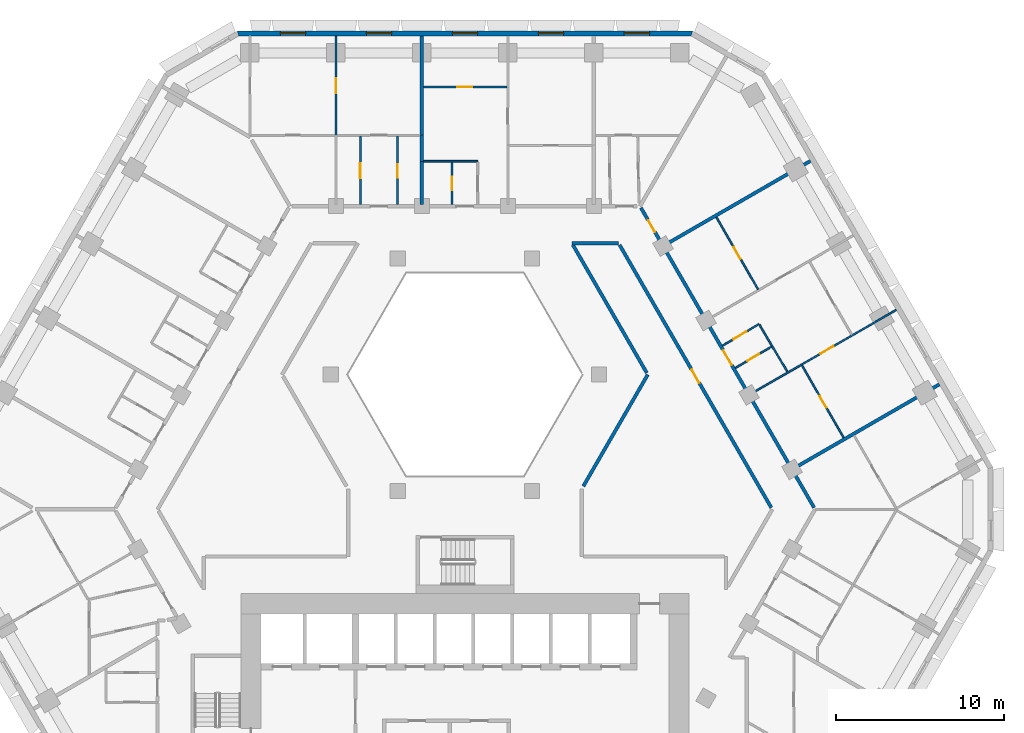
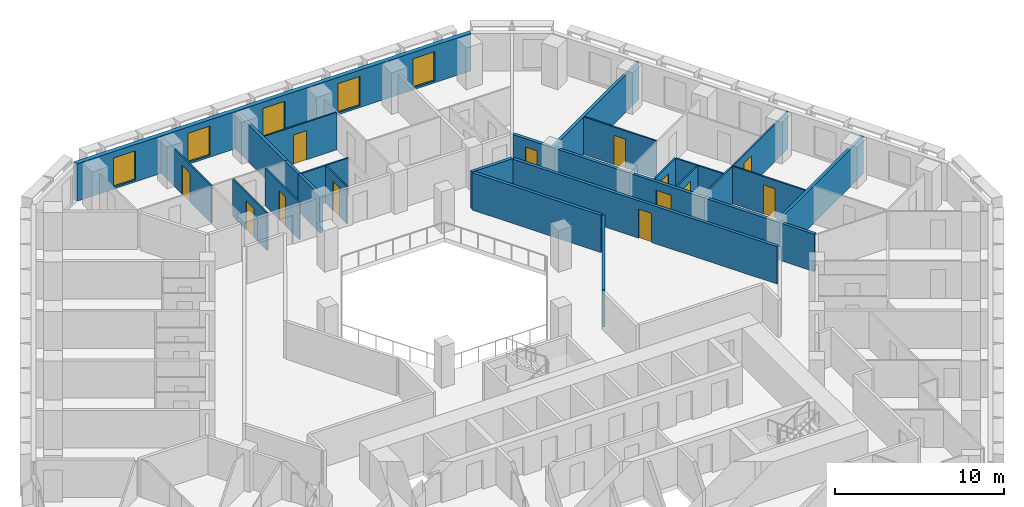
# One storey, part 9 of 16: 23 walls, 13 doors, 5 windows, 18 openings.
"""IFC4 building model written with IfcOpenShell, lengths in metres."""

from ifc_helpers import new_model, si_unit, direction, frame, frame_2d, origin, place, context, subcontext, project, spatial, polyline, rectangle, outline, extrude, material, layer, layer_set, type_object, element, fill, save


model = new_model("IFC4")

# Units and contexts
model_context = context("Model", 3, precision=1e-05, world=origin(), true_north=direction((0.0, 1.0)))
body_context = subcontext(model_context, "Body", "Model", "MODEL_VIEW")
ifc_project = project(units=[si_unit("LENGTHUNIT", "METRE"), si_unit("AREAUNIT", "SQUARE_METRE"), si_unit("VOLUMEUNIT", "CUBIC_METRE"), si_unit("PLANEANGLEUNIT", "RADIAN"), si_unit("MASSUNIT", "GRAM", prefix="KILO")], contexts=[model_context])

# Site, building, storey
site_placement = place(None, origin())
site = spatial("IfcSite", under=ifc_project, at=site_placement, CompositionType="ELEMENT")
building_placement = place(site_placement, origin())
building = spatial("IfcBuilding", under=site, at=building_placement, Name="Beryl Residences", CompositionType="ELEMENT")
storey_placement = place(building_placement, frame((0.0, 0.0, 38.39990234375)))
storey = spatial("IfcBuildingStorey", under=building, at=storey_placement, Name="L11", CompositionType="ELEMENT", Elevation=38.39990234375)

# Wall, openings, windows
ifc_material_1 = material(Name="Composite metal panel with mineral wool insulation")
ifc_layer_1 = layer(ifc_material_1, 0.300048828125)
ifc_layer_set_1 = layer_set([ifc_layer_1], Name="ES1 pale metal composite panel wall 300 mm")
wall_type_1 = type_object("IfcWallType", Name="ES1 pale metal composite panel wall 300 mm", PredefinedType="SOLIDWALL", material=ifc_layer_set_1)
wall_1_placement = place(storey_placement, frame((13.510009765625, 28.25, 0.0), z_axis=(0.0, 0.0, 1.0), x_axis=(-1.0, 0.0, 0.0)))
wall_1 = element("IfcWall", 1, at=wall_1_placement, inside=storey, type_object=wall_type_1, Name="ES1 external wall L11 N", PredefinedType="SOLIDWALL", context=body_context, shape_type="SweptSolid", body=[
    extrude(outline(polyline([(0.0, -0.14990234375), (27.02001953125, -0.14990234375), (26.939697265625, 0.14990234375), (0.080322265625, 0.14990234375), (0.0, -0.14990234375)])), origin(), (0.0, 0.0, 1.0), 2.7001953125),
])
opening_1_placement = place(wall_1_placement, frame((2.552978515625, 0.0, 0.14990234375)))
opening_1 = element("IfcOpeningElement", 2, at=opening_1_placement, cuts=wall_1, Name="Opening W1", PredefinedType="OPENING", context=body_context, shape_type="SweptSolid", body=[
    extrude(rectangle(XDim=1.5, YDim=2.10009765625, at=frame_2d((0.75, 1.050048828125))), frame((0.0, 0.159912109375, 0.0), z_axis=(0.0, -1.0, 0.0), x_axis=(1.0, 0.0, 0.0)), (0.0, 0.0, 1.0), 0.320068359375),
])
opening_2_placement = place(wall_1_placement, frame((7.656982421875, 0.0, 0.14990234375)))
opening_2 = element("IfcOpeningElement", 3, at=opening_2_placement, cuts=wall_1, Name="Opening W1", PredefinedType="OPENING", context=body_context, shape_type="SweptSolid", body=[
    extrude(rectangle(XDim=1.5, YDim=2.10009765625, at=frame_2d((0.75, 1.050048828125))), frame((0.0, 0.159912109375, 0.0), z_axis=(0.0, -1.0, 0.0), x_axis=(1.0, 0.0, 0.0)), (0.0, 0.0, 1.0), 0.320068359375),
])
opening_3_placement = place(wall_1_placement, frame((12.760986328125, 0.0, 0.14990234375)))
opening_3 = element("IfcOpeningElement", 4, at=opening_3_placement, cuts=wall_1, Name="Opening W1", PredefinedType="OPENING", context=body_context, shape_type="SweptSolid", body=[
    extrude(rectangle(XDim=1.5, YDim=2.10009765625, at=frame_2d((0.75, 1.050048828125))), frame((0.0, 0.159912109375, 0.0), z_axis=(0.0, -1.0, 0.0), x_axis=(1.0, 0.0, 0.0)), (0.0, 0.0, 1.0), 0.320068359375),
])
opening_4_placement = place(wall_1_placement, frame((17.864990234375, 0.0, 0.14990234375)))
opening_4 = element("IfcOpeningElement", 5, at=opening_4_placement, cuts=wall_1, Name="Opening W1", PredefinedType="OPENING", context=body_context, shape_type="SweptSolid", body=[
    extrude(rectangle(XDim=1.5, YDim=2.10009765625, at=frame_2d((0.75, 1.050048828125))), frame((0.0, 0.159912109375, 0.0), z_axis=(0.0, -1.0, 0.0), x_axis=(1.0, 0.0, 0.0)), (0.0, 0.0, 1.0), 0.320068359375),
])
opening_5_placement = place(wall_1_placement, frame((22.968994140625, 0.0, 0.14990234375)))
opening_5 = element("IfcOpeningElement", 6, at=opening_5_placement, cuts=wall_1, Name="Opening W1", PredefinedType="OPENING", context=body_context, shape_type="SweptSolid", body=[
    extrude(rectangle(XDim=1.5, YDim=2.10009765625, at=frame_2d((0.75, 1.050048828125))), frame((0.0, 0.159912109375, 0.0), z_axis=(0.0, -1.0, 0.0), x_axis=(1.0, 0.0, 0.0)), (0.0, 0.0, 1.0), 0.320068359375),
])
ifc_material_2 = material(Name="Aluminium and clear glass", Category="aluminium")
window_type = type_object("IfcWindowType", Name="W1 cell window 1500 x 2100 mm", PartitioningType="SINGLE_PANEL", PredefinedType="WINDOW", material=ifc_material_2)
window_1_placement = place(opening_1_placement, origin())
window_1 = element("IfcWindow", 7, at=window_1_placement, inside=storey, type_object=window_type, Name="W1 window L11 N 2", OverallHeight=2.10009765625, OverallWidth=1.5, PartitioningType="SINGLE_PANEL", PredefinedType="WINDOW", context=body_context, shape_type="SweptSolid", body=[
    extrude(rectangle(XDim=1.5, YDim=2.10009765625, at=frame_2d((0.75, 1.050048828125))), frame((0.0, 0.030029296875, 0.0), z_axis=(0.0, -1.0, 0.0), x_axis=(1.0, 0.0, 0.0)), (0.0, 0.0, 1.0), 0.06005859375),
])
fill(opening_1, window_1)
window_2_placement = place(opening_2_placement, origin())
window_2 = element("IfcWindow", 8, at=window_2_placement, inside=storey, type_object=window_type, Name="W1 window L11 N 4", OverallHeight=2.10009765625, OverallWidth=1.5, PartitioningType="SINGLE_PANEL", PredefinedType="WINDOW", context=body_context, shape_type="SweptSolid", body=[
    extrude(rectangle(XDim=1.5, YDim=2.10009765625, at=frame_2d((0.75, 1.050048828125))), frame((0.0, 0.030029296875, 0.0), z_axis=(0.0, -1.0, 0.0), x_axis=(1.0, 0.0, 0.0)), (0.0, 0.0, 1.0), 0.06005859375),
])
fill(opening_2, window_2)
window_3_placement = place(opening_3_placement, origin())
window_3 = element("IfcWindow", 9, at=window_3_placement, inside=storey, type_object=window_type, Name="W1 window L11 N 6", OverallHeight=2.10009765625, OverallWidth=1.5, PartitioningType="SINGLE_PANEL", PredefinedType="WINDOW", context=body_context, shape_type="SweptSolid", body=[
    extrude(rectangle(XDim=1.5, YDim=2.10009765625, at=frame_2d((0.75, 1.050048828125))), frame((0.0, 0.030029296875, 0.0), z_axis=(0.0, -1.0, 0.0), x_axis=(1.0, 0.0, 0.0)), (0.0, 0.0, 1.0), 0.06005859375),
])
fill(opening_3, window_3)
window_4_placement = place(opening_4_placement, origin())
window_4 = element("IfcWindow", 10, at=window_4_placement, inside=storey, type_object=window_type, Name="W1 window L11 N 8", OverallHeight=2.10009765625, OverallWidth=1.5, PartitioningType="SINGLE_PANEL", PredefinedType="WINDOW", context=body_context, shape_type="SweptSolid", body=[
    extrude(rectangle(XDim=1.5, YDim=2.10009765625, at=frame_2d((0.75, 1.050048828125))), frame((0.0, 0.030029296875, 0.0), z_axis=(0.0, -1.0, 0.0), x_axis=(1.0, 0.0, 0.0)), (0.0, 0.0, 1.0), 0.06005859375),
])
fill(opening_4, window_4)
window_5_placement = place(opening_5_placement, origin())
window_5 = element("IfcWindow", 11, at=window_5_placement, inside=storey, type_object=window_type, Name="W1 window L11 N 10", OverallHeight=2.10009765625, OverallWidth=1.5, PartitioningType="SINGLE_PANEL", PredefinedType="WINDOW", context=body_context, shape_type="SweptSolid", body=[
    extrude(rectangle(XDim=1.5, YDim=2.10009765625, at=frame_2d((0.75, 1.050048828125))), frame((0.0, 0.030029296875, 0.0), z_axis=(0.0, -1.0, 0.0), x_axis=(1.0, 0.0, 0.0)), (0.0, 0.0, 1.0), 0.06005859375),
])
fill(opening_5, window_5)

# Wall
ifc_material_3 = material(Name="Gypsum board partition on steel studs", Category="steel")
ifc_layer_2 = layer(ifc_material_3, 0.10009765625)
ifc_layer_set_2 = layer_set([ifc_layer_2], Name="PT1 partition 100 mm gypsum board on steel studs")
wall_type_2 = type_object("IfcWallType", Name="PT1 partition 100 mm gypsum board on steel studs", PredefinedType="PARTITIONING", material=ifc_layer_set_2)
wall_2_placement = place(storey_placement, frame((17.485107421875, 10.95703125, 0.0), z_axis=(0.0, 0.0, 1.0), x_axis=(0.510324709283, -0.859981796956, 0.0)))
element("IfcWall", 12, at=wall_2_placement, inside=storey, type_object=wall_type_2, Name="Wall PT1 L11 001", PredefinedType="PARTITIONING", context=body_context, shape_type="SweptSolid", body=[
    extrude(rectangle(XDim=3.21533203125, YDim=0.10009765625, at=frame_2d((1.607666015625, 0.0))), origin(), (0.0, 0.0, 1.0), 2.7001953125),
])

# Wall, opening, door
wall_3_placement = place(storey_placement, frame((14.927978515625, 17.343994140625, 0.0), z_axis=(0.0, 0.0, 1.0), x_axis=(0.500029609304, -0.86600830817, 0.0)))
wall_3 = element("IfcWall", 13, at=wall_3_placement, inside=storey, type_object=wall_type_2, Name="Wall PT1 L11 004", PredefinedType="PARTITIONING", context=body_context, shape_type="SweptSolid", body=[
    extrude(rectangle(XDim=4.953857421875, YDim=0.10009765625, at=frame_2d((2.47705078125, 0.0))), origin(), (0.0, 0.0, 1.0), 2.7001953125),
])
opening_6_placement = place(wall_3_placement, frame((2.052001953125, 0.0, 0.0)))
opening_6 = element("IfcOpeningElement", 14, at=opening_6_placement, cuts=wall_3, Name="Opening D0457", PredefinedType="OPENING", context=body_context, shape_type="SweptSolid", body=[
    extrude(rectangle(XDim=0.800048828125, YDim=2.10009765625, at=frame_2d((0.39990234375, 1.050048828125))), frame((0.0, 0.06005859375, 0.0), z_axis=(0.0, -1.0, 0.0), x_axis=(1.0, 0.0, 0.0)), (0.0, 0.0, 1.0), 0.1201171875),
])
ifc_material_4 = material(Name="Timber door leaf", Category="wood")
door_type_1 = type_object("IfcDoorType", Name="D3 bathroom door 800 x 2100 mm", OperationType="SINGLE_SWING_LEFT", PredefinedType="DOOR", material=ifc_material_4)
door_1_placement = place(opening_6_placement, origin())
door_1 = element("IfcDoor", 15, at=door_1_placement, inside=storey, type_object=door_type_1, Name="Door D0457 L11 001", OperationType="SINGLE_SWING_LEFT", OverallHeight=2.10009765625, OverallWidth=0.800048828125, PredefinedType="DOOR", context=body_context, shape_type="SweptSolid", body=[
    extrude(rectangle(XDim=0.800048828125, YDim=2.10009765625, at=frame_2d((0.39990234375, 1.050048828125))), frame((0.0, 0.02490234375, 0.0), z_axis=(0.0, -1.0, 0.0), x_axis=(1.0, 0.0, 0.0)), (0.0, 0.0, 1.0), 0.050048828125),
])
fill(opening_6, door_1)

wall_4_placement = place(storey_placement, frame((20.006103515625, 8.548095703125, 0.0), z_axis=(0.0, 0.0, 1.0), x_axis=(0.500055121407, -0.865993577086, 0.0)))
wall_4 = element("IfcWall", 16, at=wall_4_placement, inside=storey, type_object=wall_type_2, Name="Wall PT1 L11 005", PredefinedType="PARTITIONING", context=body_context, shape_type="SweptSolid", body=[
    extrude(rectangle(XDim=4.955078125, YDim=0.10009765625, at=frame_2d((2.4775390625, 0.0))), origin(), (0.0, 0.0, 1.0), 2.7001953125),
])
opening_7_placement = place(wall_4_placement, frame((2.10205078125, 0.0, 0.0)))
opening_7 = element("IfcOpeningElement", 17, at=opening_7_placement, cuts=wall_4, Name="Opening D0456", PredefinedType="OPENING", context=body_context, shape_type="SweptSolid", body=[
    extrude(rectangle(XDim=0.800048828125, YDim=2.10009765625, at=frame_2d((0.39990234375, 1.050048828125))), frame((0.0, 0.06005859375, 0.0), z_axis=(0.0, -1.0, 0.0), x_axis=(1.0, 0.0, 0.0)), (0.0, 0.0, 1.0), 0.1201171875),
])
door_2_placement = place(opening_7_placement, origin())
door_2 = element("IfcDoor", 18, at=door_2_placement, inside=storey, type_object=door_type_1, Name="Door D0456 L11 001", OperationType="SINGLE_SWING_RIGHT", OverallHeight=2.10009765625, OverallWidth=0.800048828125, PredefinedType="DOOR", context=body_context, shape_type="SweptSolid", body=[
    extrude(rectangle(XDim=0.800048828125, YDim=2.10009765625, at=frame_2d((0.39990234375, 1.050048828125))), frame((0.0, 0.02490234375, 0.0), z_axis=(0.0, -1.0, 0.0), x_axis=(1.0, 0.0, 0.0)), (0.0, 0.0, 1.0), 0.050048828125),
])
fill(opening_7, door_2)

# Wall
wall_5_placement = place(storey_placement, frame((-2.452880859375, 20.659912109375, 0.0), z_axis=(0.0, 0.0, 1.0), x_axis=(1.0, 0.0, 0.0)))
element("IfcWall", 19, at=wall_5_placement, inside=storey, type_object=wall_type_2, Name="Wall PT1 L11 035", PredefinedType="PARTITIONING", context=body_context, shape_type="SweptSolid", body=[
    extrude(rectangle(XDim=3.216796875, YDim=0.10009765625, at=frame_2d((1.6083984375, 0.0))), origin(), (0.0, 0.0, 1.0), 2.7001953125),
])

# Wall, opening, door
wall_6_placement = place(storey_placement, frame((-2.452880859375, 25.070068359375, 0.0), z_axis=(0.0, 0.0, 1.0), x_axis=(1.0, 0.0, 0.0)))
wall_6 = element("IfcWall", 20, at=wall_6_placement, inside=storey, type_object=wall_type_2, Name="Wall PT1 L11 039", PredefinedType="PARTITIONING", context=body_context, shape_type="SweptSolid", body=[
    extrude(rectangle(XDim=4.953857421875, YDim=0.10009765625, at=frame_2d((2.47705078125, 0.0))), origin(), (0.0, 0.0, 1.0), 2.7001953125),
])
opening_8_placement = place(wall_6_placement, frame((2.001953125, 0.0, 0.0)))
opening_8 = element("IfcOpeningElement", 21, at=opening_8_placement, cuts=wall_6, Name="Opening D0466", PredefinedType="OPENING", context=body_context, shape_type="SweptSolid", body=[
    extrude(rectangle(XDim=0.89990234375, YDim=2.10009765625, at=frame_2d((0.449951171875, 1.050048828125))), frame((0.0, 0.06005859375, 0.0), z_axis=(0.0, -1.0, 0.0), x_axis=(1.0, 0.0, 0.0)), (0.0, 0.0, 1.0), 0.1201171875),
])
ifc_material_5 = material(Name="Timber door leaf", Category="wood")
door_type_2 = type_object("IfcDoorType", Name="D2 room door 900 x 2100 mm", OperationType="SINGLE_SWING_LEFT", PredefinedType="DOOR", material=ifc_material_5)
door_3_placement = place(opening_8_placement, origin())
door_3 = element("IfcDoor", 22, at=door_3_placement, inside=storey, type_object=door_type_2, Name="Door D0466 L11 001", OperationType="SINGLE_SWING_RIGHT", OverallHeight=2.10009765625, OverallWidth=0.89990234375, PredefinedType="DOOR", context=body_context, shape_type="SweptSolid", body=[
    extrude(rectangle(XDim=0.89990234375, YDim=2.10009765625, at=frame_2d((0.449951171875, 1.050048828125))), frame((0.0, 0.02490234375, 0.0), z_axis=(0.0, -1.0, 0.0), x_axis=(1.0, 0.0, 0.0)), (0.0, 0.0, 1.0), 0.050048828125),
])
fill(opening_8, door_3)

wall_7_placement = place(storey_placement, frame((-4.0048828125, 18.10009765625, 0.0), z_axis=(0.0, 0.0, 1.0), x_axis=(0.0, 1.0, 0.0)))
wall_7 = element("IfcWall", 23, at=wall_7_placement, inside=storey, type_object=wall_type_2, Name="Wall PT1 L11 051", PredefinedType="PARTITIONING", context=body_context, shape_type="SweptSolid", body=[
    extrude(rectangle(XDim=4.0498046875, YDim=0.10009765625, at=frame_2d((2.02490234375, 0.0))), origin(), (0.0, 0.0, 1.0), 2.7001953125),
])
opening_9_placement = place(wall_7_placement, frame((1.60009765625, 0.0, 0.0)))
opening_9 = element("IfcOpeningElement", 24, at=opening_9_placement, cuts=wall_7, Name="Opening D0470", PredefinedType="OPENING", context=body_context, shape_type="SweptSolid", body=[
    extrude(rectangle(XDim=0.800048828125, YDim=2.10009765625, at=frame_2d((0.39990234375, 1.050048828125))), frame((0.0, 0.06005859375, 0.0), z_axis=(0.0, -1.0, 0.0), x_axis=(1.0, 0.0, 0.0)), (0.0, 0.0, 1.0), 0.1201171875),
])
door_4_placement = place(opening_9_placement, origin())
door_4 = element("IfcDoor", 25, at=door_4_placement, inside=storey, type_object=door_type_1, Name="Door D0470 L11 001", OperationType="SINGLE_SWING_RIGHT", OverallHeight=2.10009765625, OverallWidth=0.800048828125, PredefinedType="DOOR", context=body_context, shape_type="SweptSolid", body=[
    extrude(rectangle(XDim=0.800048828125, YDim=2.10009765625, at=frame_2d((0.39990234375, 1.050048828125))), frame((0.0, 0.02490234375, 0.0), z_axis=(0.0, -1.0, 0.0), x_axis=(1.0, 0.0, 0.0)), (0.0, 0.0, 1.0), 0.050048828125),
])
fill(opening_9, door_4)

wall_8_placement = place(storey_placement, frame((-6.205078125, 18.10009765625, 0.0), z_axis=(0.0, 0.0, 1.0), x_axis=(0.0, 1.0, 0.0)))
wall_8 = element("IfcWall", 26, at=wall_8_placement, inside=storey, type_object=wall_type_2, Name="Wall PT1 L11 052", PredefinedType="PARTITIONING", context=body_context, shape_type="SweptSolid", body=[
    extrude(rectangle(XDim=4.0498046875, YDim=0.10009765625, at=frame_2d((2.02490234375, 0.0))), origin(), (0.0, 0.0, 1.0), 2.7001953125),
])
opening_10_placement = place(wall_8_placement, frame((1.550048828125, 0.0, 0.0)))
opening_10 = element("IfcOpeningElement", 27, at=opening_10_placement, cuts=wall_8, Name="Opening D0471", PredefinedType="OPENING", context=body_context, shape_type="SweptSolid", body=[
    extrude(rectangle(XDim=0.89990234375, YDim=2.10009765625, at=frame_2d((0.449951171875, 1.050048828125))), frame((0.0, 0.06005859375, 0.0), z_axis=(0.0, -1.0, 0.0), x_axis=(1.0, 0.0, 0.0)), (0.0, 0.0, 1.0), 0.1201171875),
])
door_5_placement = place(opening_10_placement, origin())
door_5 = element("IfcDoor", 28, at=door_5_placement, inside=storey, type_object=door_type_2, Name="Door D0471 L11 001", OperationType="SINGLE_SWING_LEFT", OverallHeight=2.10009765625, OverallWidth=0.89990234375, PredefinedType="DOOR", context=body_context, shape_type="SweptSolid", body=[
    extrude(rectangle(XDim=0.89990234375, YDim=2.10009765625, at=frame_2d((0.449951171875, 1.050048828125))), frame((0.0, 0.02490234375, 0.0), z_axis=(0.0, -1.0, 0.0), x_axis=(1.0, 0.0, 0.0)), (0.0, 0.0, 1.0), 0.050048828125),
])
fill(opening_10, door_5)

wall_9_placement = place(storey_placement, frame((-0.76708984375, 18.10009765625, 0.0), z_axis=(0.0, 0.0, 1.0), x_axis=(0.0, 1.0, 0.0)))
wall_9 = element("IfcWall", 29, at=wall_9_placement, inside=storey, type_object=wall_type_2, Name="Wall PT1 L11 056", PredefinedType="PARTITIONING", context=body_context, shape_type="SweptSolid", body=[
    extrude(rectangle(XDim=2.510009765625, YDim=0.10009765625, at=frame_2d((1.2548828125, 0.0))), origin(), (0.0, 0.0, 1.0), 2.7001953125),
])
opening_11_placement = place(wall_9_placement, frame((0.830078125, 0.0, 0.0)))
opening_11 = element("IfcOpeningElement", 30, at=opening_11_placement, cuts=wall_9, Name="Opening D0465", PredefinedType="OPENING", context=body_context, shape_type="SweptSolid", body=[
    extrude(rectangle(XDim=0.800048828125, YDim=2.10009765625, at=frame_2d((0.39990234375, 1.050048828125))), frame((0.0, 0.06005859375, 0.0), z_axis=(0.0, -1.0, 0.0), x_axis=(1.0, 0.0, 0.0)), (0.0, 0.0, 1.0), 0.1201171875),
])
door_6_placement = place(opening_11_placement, origin())
door_6 = element("IfcDoor", 31, at=door_6_placement, inside=storey, type_object=door_type_1, Name="Door D0465 L11 001", OperationType="SINGLE_SWING_LEFT", OverallHeight=2.10009765625, OverallWidth=0.800048828125, PredefinedType="DOOR", context=body_context, shape_type="SweptSolid", body=[
    extrude(rectangle(XDim=0.800048828125, YDim=2.10009765625, at=frame_2d((0.39990234375, 1.050048828125))), frame((0.0, 0.02490234375, 0.0), z_axis=(0.0, -1.0, 0.0), x_axis=(1.0, 0.0, 0.0)), (0.0, 0.0, 1.0), 0.050048828125),
])
fill(opening_11, door_6)

wall_10_placement = place(storey_placement, frame((16.949951171875, 6.841064453125, 0.0), z_axis=(0.0, 0.0, 1.0), x_axis=(0.866022959057, 0.500004234368, 0.0)))
wall_10 = element("IfcWall", 32, at=wall_10_placement, inside=storey, type_object=wall_type_2, Name="Wall PT1 L11 065", PredefinedType="PARTITIONING", context=body_context, shape_type="SweptSolid", body=[
    extrude(rectangle(XDim=10.0, YDim=0.10009765625, at=frame_2d((5.0, 0.0))), origin(), (0.0, 0.0, 1.0), 2.7001953125),
])
opening_12_placement = place(wall_10_placement, frame((4.794921875, 0.0, 0.0)))
opening_12 = element("IfcOpeningElement", 33, at=opening_12_placement, cuts=wall_10, Name="Opening D0455", PredefinedType="OPENING", context=body_context, shape_type="SweptSolid", body=[
    extrude(rectangle(XDim=0.89990234375, YDim=2.10009765625, at=frame_2d((0.449951171875, 1.050048828125))), frame((0.0, 0.06005859375, 0.0), z_axis=(0.0, -1.0, 0.0), x_axis=(1.0, 0.0, 0.0)), (0.0, 0.0, 1.0), 0.1201171875),
])
door_7_placement = place(opening_12_placement, origin())
door_7 = element("IfcDoor", 34, at=door_7_placement, inside=storey, type_object=door_type_2, Name="Door D0455 L11 001", OperationType="SINGLE_SWING_LEFT", OverallHeight=2.10009765625, OverallWidth=0.89990234375, PredefinedType="DOOR", context=body_context, shape_type="SweptSolid", body=[
    extrude(rectangle(XDim=0.89990234375, YDim=2.10009765625, at=frame_2d((0.449951171875, 1.050048828125))), frame((0.0, 0.02490234375, 0.0), z_axis=(0.0, -1.0, 0.0), x_axis=(1.0, 0.0, 0.0)), (0.0, 0.0, 1.0), 0.050048828125),
])
fill(opening_12, door_7)

wall_11_placement = place(storey_placement, frame((16.056884765625, 8.388916015625, 0.0), z_axis=(0.0, 0.0, 1.0), x_axis=(0.860077993161, 0.510162567893, 0.0)))
wall_11 = element("IfcWall", 35, at=wall_11_placement, inside=storey, type_object=wall_type_2, Name="Wall PT1 L11 069", PredefinedType="PARTITIONING", context=body_context, shape_type="SweptSolid", body=[
    extrude(rectangle(XDim=2.489501953125, YDim=0.10009765625, at=frame_2d((1.24462890625, 0.0))), origin(), (0.0, 0.0, 1.0), 2.7001953125),
])
opening_13_placement = place(wall_11_placement, frame((0.819091796875, 0.0, 0.0)))
opening_13 = element("IfcOpeningElement", 36, at=opening_13_placement, cuts=wall_11, Name="Opening D0452", PredefinedType="OPENING", context=body_context, shape_type="SweptSolid", body=[
    extrude(rectangle(XDim=0.800048828125, YDim=2.10009765625, at=frame_2d((0.39990234375, 1.050048828125))), frame((0.0, 0.06005859375, 0.0), z_axis=(0.0, -1.0, 0.0), x_axis=(1.0, 0.0, 0.0)), (0.0, 0.0, 1.0), 0.1201171875),
])
door_8_placement = place(opening_13_placement, origin())
door_8 = element("IfcDoor", 37, at=door_8_placement, inside=storey, type_object=door_type_1, Name="Door D0452 L11 001", OperationType="SINGLE_SWING_RIGHT", OverallHeight=2.10009765625, OverallWidth=0.800048828125, PredefinedType="DOOR", context=body_context, shape_type="SweptSolid", body=[
    extrude(rectangle(XDim=0.800048828125, YDim=2.10009765625, at=frame_2d((0.39990234375, 1.050048828125))), frame((0.0, 0.02490234375, 0.0), z_axis=(0.0, -1.0, 0.0), x_axis=(1.0, 0.0, 0.0)), (0.0, 0.0, 1.0), 0.050048828125),
])
fill(opening_13, door_8)

wall_12_placement = place(storey_placement, frame((15.291015625, 9.715087890625, 0.0), z_axis=(0.0, 0.0, 1.0), x_axis=(0.860088508644, 0.51014483953, 0.0)))
wall_12 = element("IfcWall", 38, at=wall_12_placement, inside=storey, type_object=wall_type_2, Name="Wall PT1 L11 070", PredefinedType="PARTITIONING", context=body_context, shape_type="SweptSolid", body=[
    extrude(rectangle(XDim=2.520751953125, YDim=0.10009765625, at=frame_2d((1.26025390625, 0.0))), origin(), (0.0, 0.0, 1.0), 2.7001953125),
])
opening_14_placement = place(wall_12_placement, frame((0.760009765625, 0.0, 0.0)))
opening_14 = element("IfcOpeningElement", 39, at=opening_14_placement, cuts=wall_12, Name="Opening D0451", PredefinedType="OPENING", context=body_context, shape_type="SweptSolid", body=[
    extrude(rectangle(XDim=0.89990234375, YDim=2.10009765625, at=frame_2d((0.449951171875, 1.050048828125))), frame((0.0, 0.06005859375, 0.0), z_axis=(0.0, -1.0, 0.0), x_axis=(1.0, 0.0, 0.0)), (0.0, 0.0, 1.0), 0.1201171875),
])
door_9_placement = place(opening_14_placement, origin())
door_9 = element("IfcDoor", 40, at=door_9_placement, inside=storey, type_object=door_type_2, Name="Door D0451 L11 001", OperationType="SINGLE_SWING_LEFT", OverallHeight=2.10009765625, OverallWidth=0.89990234375, PredefinedType="DOOR", context=body_context, shape_type="SweptSolid", body=[
    extrude(rectangle(XDim=0.89990234375, YDim=2.10009765625, at=frame_2d((0.449951171875, 1.050048828125))), frame((0.0, 0.02490234375, 0.0), z_axis=(0.0, -1.0, 0.0), x_axis=(1.0, 0.0, 0.0)), (0.0, 0.0, 1.0), 0.050048828125),
])
fill(opening_14, door_9)

wall_13_placement = place(storey_placement, frame((-7.656982421875, 22.199951171875, 0.0), z_axis=(0.0, 0.0, 1.0), x_axis=(0.0, 1.0, 0.0)))
wall_13 = element("IfcWall", 41, at=wall_13_placement, inside=storey, type_object=wall_type_2, Name="Wall PT1 L11 076", PredefinedType="PARTITIONING", context=body_context, shape_type="SweptSolid", body=[
    extrude(rectangle(XDim=5.900146484375, YDim=0.10009765625, at=frame_2d((2.9501953125, 0.0))), origin(), (0.0, 0.0, 1.0), 2.7001953125),
])
opening_15_placement = place(wall_13_placement, frame((2.5, 0.0, 0.0)))
opening_15 = element("IfcOpeningElement", 42, at=opening_15_placement, cuts=wall_13, Name="Opening D0473", PredefinedType="OPENING", context=body_context, shape_type="SweptSolid", body=[
    extrude(rectangle(XDim=0.89990234375, YDim=2.10009765625, at=frame_2d((0.449951171875, 1.050048828125))), frame((0.0, 0.06005859375, 0.0), z_axis=(0.0, -1.0, 0.0), x_axis=(1.0, 0.0, 0.0)), (0.0, 0.0, 1.0), 0.1201171875),
])
door_10_placement = place(opening_15_placement, origin())
door_10 = element("IfcDoor", 43, at=door_10_placement, inside=storey, type_object=door_type_2, Name="Door D0473 L11 001", OperationType="SINGLE_SWING_LEFT", OverallHeight=2.10009765625, OverallWidth=0.89990234375, PredefinedType="DOOR", context=body_context, shape_type="SweptSolid", body=[
    extrude(rectangle(XDim=0.89990234375, YDim=2.10009765625, at=frame_2d((0.449951171875, 1.050048828125))), frame((0.0, 0.02490234375, 0.0), z_axis=(0.0, -1.0, 0.0), x_axis=(1.0, 0.0, 0.0)), (0.0, 0.0, 1.0), 0.050048828125),
])
fill(opening_15, door_10)

# Walls
ifc_material_6 = material(Name="Acoustic double stud gypsum board wall")
ifc_layer_3 = layer(ifc_material_6, 0.199951171875)
ifc_layer_set_3 = layer_set([ifc_layer_3], Name="PT3 party wall 200 mm acoustic double stud")
wall_type_3 = type_object("IfcWallType", Name="PT3 party wall 200 mm acoustic double stud", PredefinedType="PARTITIONING", material=ifc_layer_set_3)
wall_14_placement = place(storey_placement, frame((-2.552978515625, 22.219970703125, 0.0), z_axis=(0.0, 0.0, 1.0), x_axis=(0.0, -1.0, 0.0)))
element("IfcWall", 44, at=wall_14_placement, inside=storey, type_object=wall_type_3, Name="Wall PT3 L11 002", PredefinedType="PARTITIONING", context=body_context, shape_type="SweptSolid", body=[
    extrude(rectangle(XDim=1.56005859375, YDim=0.199951171875, at=frame_2d((0.780029296875, 0.0))), origin(), (0.0, 0.0, 1.0), 2.7001953125),
])
wall_15_placement = place(storey_placement, frame((-2.552978515625, 18.10009765625, 0.0), z_axis=(0.0, 0.0, 1.0), x_axis=(0.0, 1.0, 0.0)))
element("IfcWall", 45, at=wall_15_placement, inside=storey, type_object=wall_type_3, Name="Wall PT3 L11 018", PredefinedType="PARTITIONING", context=body_context, shape_type="SweptSolid", body=[
    extrude(rectangle(XDim=2.559814453125, YDim=0.199951171875, at=frame_2d((1.27978515625, 0.0))), origin(), (0.0, 0.0, 1.0), 2.7001953125),
])
wall_16_placement = place(storey_placement, frame((-2.552978515625, 22.179931640625, 0.0), z_axis=(0.0, 0.0, 1.0), x_axis=(0.0, 1.0, 0.0)))
element("IfcWall", 46, at=wall_16_placement, inside=storey, type_object=wall_type_3, Name="Wall PT3 L11 019", PredefinedType="PARTITIONING", context=body_context, shape_type="SweptSolid", body=[
    extrude(rectangle(XDim=5.920166015625, YDim=0.199951171875, at=frame_2d((2.9599609375, 0.0))), origin(), (0.0, 0.0, 1.0), 2.7001953125),
])
wall_17_placement = place(storey_placement, frame((19.5029296875, 2.4208984375, 0.0), z_axis=(0.0, 0.0, 1.0), x_axis=(0.866065245018, 0.499930986609, 0.0)))
element("IfcWall", 47, at=wall_17_placement, inside=storey, type_object=wall_type_3, Name="Wall PT3 L11 021", PredefinedType="PARTITIONING", context=body_context, shape_type="SweptSolid", body=[
    extrude(rectangle(XDim=9.99951171875, YDim=0.199951171875, at=frame_2d((4.999755859375, 0.0))), origin(), (0.0, 0.0, 1.0), 2.7001953125),
])
wall_18_placement = place(storey_placement, frame((11.846923828125, 15.680908203125, 0.0), z_axis=(0.0, 0.0, 1.0), x_axis=(0.866022959057, 0.500004234368, 0.0)))
element("IfcWall", 48, at=wall_18_placement, inside=storey, type_object=wall_type_3, Name="Wall PT3 L11 023", PredefinedType="PARTITIONING", context=body_context, shape_type="SweptSolid", body=[
    extrude(rectangle(XDim=10.0, YDim=0.199951171875, at=frame_2d((5.0, 0.0))), origin(), (0.0, 0.0, 1.0), 2.7001953125),
])
ifc_material_7 = material(Name="Double stud gypsum board wall")
ifc_layer_4 = layer(ifc_material_7, 0.199951171875)
ifc_layer_set_4 = layer_set([ifc_layer_4], Name="PT4 corridor wall 200 mm double stud")
wall_type_4 = type_object("IfcWallType", Name="PT4 corridor wall 200 mm double stud", PredefinedType="PARTITIONING", material=ifc_layer_set_4)
wall_19_placement = place(storey_placement, frame((6.408935546875, 15.699951171875, 0.0), z_axis=(0.0, 0.0, 1.0), x_axis=(0.499930377127, -0.866065596838, 0.0)))
element("IfcWall", 49, at=wall_19_placement, inside=storey, type_object=wall_type_4, Name="Wall PT4 L11 004", PredefinedType="PARTITIONING", context=body_context, shape_type="SweptSolid", body=[
    extrude(rectangle(XDim=8.775146484375, YDim=0.199951171875, at=frame_2d((4.3876953125, 0.0))), origin(), (0.0, 0.0, 1.0), 2.7001953125),
])

# Wall, opening, door
wall_20_placement = place(storey_placement, frame((9.179931640625, 15.699951171875, 0.0), z_axis=(0.0, 0.0, 1.0), x_axis=(0.500003652032, -0.866023295272, 0.0)))
wall_20 = element("IfcWall", 50, at=wall_20_placement, inside=storey, type_object=wall_type_4, Name="Wall PT4 L11 005", PredefinedType="PARTITIONING", context=body_context, shape_type="SweptSolid", body=[
    extrude(rectangle(XDim=18.011962890625, YDim=0.199951171875, at=frame_2d((9.005859375, 0.0))), origin(), (0.0, 0.0, 1.0), 2.7001953125),
])
opening_16_placement = place(wall_20_placement, frame((8.555908203125, 0.0, 0.0)))
opening_16 = element("IfcOpeningElement", 51, at=opening_16_placement, cuts=wall_20, Name="Opening D0477", PredefinedType="OPENING", context=body_context, shape_type="SweptSolid", body=[
    extrude(rectangle(XDim=0.89990234375, YDim=2.10009765625, at=frame_2d((0.449951171875, 1.050048828125))), frame((0.0, 0.10986328125, 0.0), z_axis=(0.0, -1.0, 0.0), x_axis=(1.0, 0.0, 0.0)), (0.0, 0.0, 1.0), 0.219970703125),
])
door_11_placement = place(opening_16_placement, origin())
door_11 = element("IfcDoor", 52, at=door_11_placement, inside=storey, type_object=door_type_2, Name="Door D0477 L11 001", OperationType="SINGLE_SWING_LEFT", OverallHeight=2.10009765625, OverallWidth=0.89990234375, PredefinedType="DOOR", context=body_context, shape_type="SweptSolid", body=[
    extrude(rectangle(XDim=0.89990234375, YDim=2.10009765625, at=frame_2d((0.449951171875, 1.050048828125))), frame((0.0, 0.02490234375, 0.0), z_axis=(0.0, -1.0, 0.0), x_axis=(1.0, 0.0, 0.0)), (0.0, 0.0, 1.0), 0.050048828125),
])
fill(opening_16, door_11)

# Wall, openings, doors
wall_21_placement = place(storey_placement, frame((10.449951171875, 17.89990234375, 0.0), z_axis=(0.0, 0.0, 1.0), x_axis=(0.500034352617, -0.866005569383, 0.0)))
wall_21 = element("IfcWall", 53, at=wall_21_placement, inside=storey, type_object=wall_type_4, Name="Wall PT4 L11 006", PredefinedType="PARTITIONING", context=body_context, shape_type="SweptSolid", body=[
    extrude(rectangle(XDim=20.552734375, YDim=0.199951171875, at=frame_2d((10.2763671875, 0.0))), origin(), (0.0, 0.0, 1.0), 2.7001953125),
])
opening_17_placement = place(wall_21_placement, frame((9.77490234375, 0.0, 0.0)))
opening_17 = element("IfcOpeningElement", 54, at=opening_17_placement, cuts=wall_21, Name="Opening D0450", PredefinedType="OPENING", context=body_context, shape_type="SweptSolid", body=[
    extrude(rectangle(XDim=1.0, YDim=2.10009765625, at=frame_2d((0.5, 1.050048828125))), frame((0.0, 0.10986328125, 0.0), z_axis=(0.0, -1.0, 0.0), x_axis=(1.0, 0.0, 0.0)), (0.0, 0.0, 1.0), 0.219970703125),
])
opening_18_placement = place(wall_21_placement, frame((0.85205078125, 0.0, 0.0)))
opening_18 = element("IfcOpeningElement", 55, at=opening_18_placement, cuts=wall_21, Name="Opening D0458", PredefinedType="OPENING", context=body_context, shape_type="SweptSolid", body=[
    extrude(rectangle(XDim=0.800048828125, YDim=2.10009765625, at=frame_2d((0.39990234375, 1.050048828125))), frame((0.0, 0.10986328125, 0.0), z_axis=(0.0, -1.0, 0.0), x_axis=(1.0, 0.0, 0.0)), (0.0, 0.0, 1.0), 0.219970703125),
])
ifc_material_8 = material(Name="Timber door leaf", Category="wood")
door_type_3 = type_object("IfcDoorType", Name="D1 flat entrance door 1000 x 2100 mm", OperationType="SINGLE_SWING_LEFT", PredefinedType="DOOR", material=ifc_material_8)
door_12_placement = place(opening_17_placement, origin())
door_12 = element("IfcDoor", 56, at=door_12_placement, inside=storey, type_object=door_type_3, Name="Door D0450 L11 001", OperationType="SINGLE_SWING_RIGHT", OverallHeight=2.10009765625, OverallWidth=1.0, PredefinedType="DOOR", context=body_context, shape_type="SweptSolid", body=[
    extrude(rectangle(XDim=1.0, YDim=2.10009765625, at=frame_2d((0.5, 1.050048828125))), frame((0.0, 0.02490234375, 0.0), z_axis=(0.0, -1.0, 0.0), x_axis=(1.0, 0.0, 0.0)), (0.0, 0.0, 1.0), 0.050048828125),
])
fill(opening_17, door_12)
door_13_placement = place(opening_18_placement, origin())
door_13 = element("IfcDoor", 57, at=door_13_placement, inside=storey, type_object=door_type_1, Name="Door D0458 L11 001", OperationType="SINGLE_SWING_RIGHT", OverallHeight=2.10009765625, OverallWidth=0.800048828125, PredefinedType="DOOR", context=body_context, shape_type="SweptSolid", body=[
    extrude(rectangle(XDim=0.800048828125, YDim=2.10009765625, at=frame_2d((0.39990234375, 1.050048828125))), frame((0.0, 0.02490234375, 0.0), z_axis=(0.0, -1.0, 0.0), x_axis=(1.0, 0.0, 0.0)), (0.0, 0.0, 1.0), 0.050048828125),
])
fill(opening_18, door_13)

# Walls
wall_22_placement = place(storey_placement, frame((6.35107421875, 15.800048828125, 0.0), z_axis=(0.0, 0.0, 1.0), x_axis=(1.0, 0.0, 0.0)))
element("IfcWall", 58, at=wall_22_placement, inside=storey, type_object=wall_type_4, Name="Wall PT4 L11 017", PredefinedType="PARTITIONING", context=body_context, shape_type="SweptSolid", body=[
    extrude(rectangle(XDim=2.77099609375, YDim=0.199951171875, at=frame_2d((1.385498046875, 0.0))), origin(), (0.0, 0.0, 1.0), 2.7001953125),
])
wall_23_placement = place(storey_placement, frame((7.028076171875, 1.373046875, 0.0), z_axis=(0.0, 0.0, 1.0), x_axis=(0.49998574534, 0.86603363356, 0.0)))
element("IfcWall", 59, at=wall_23_placement, inside=storey, type_object=wall_type_4, Name="Wall PT4 L11 019", PredefinedType="PARTITIONING", context=body_context, shape_type="SweptSolid", body=[
    extrude(rectangle(XDim=7.652099609375, YDim=0.199951171875, at=frame_2d((3.826171875, 0.0))), origin(), (0.0, 0.0, 1.0), 2.7001953125),
])

save(model, "model.ifc")
